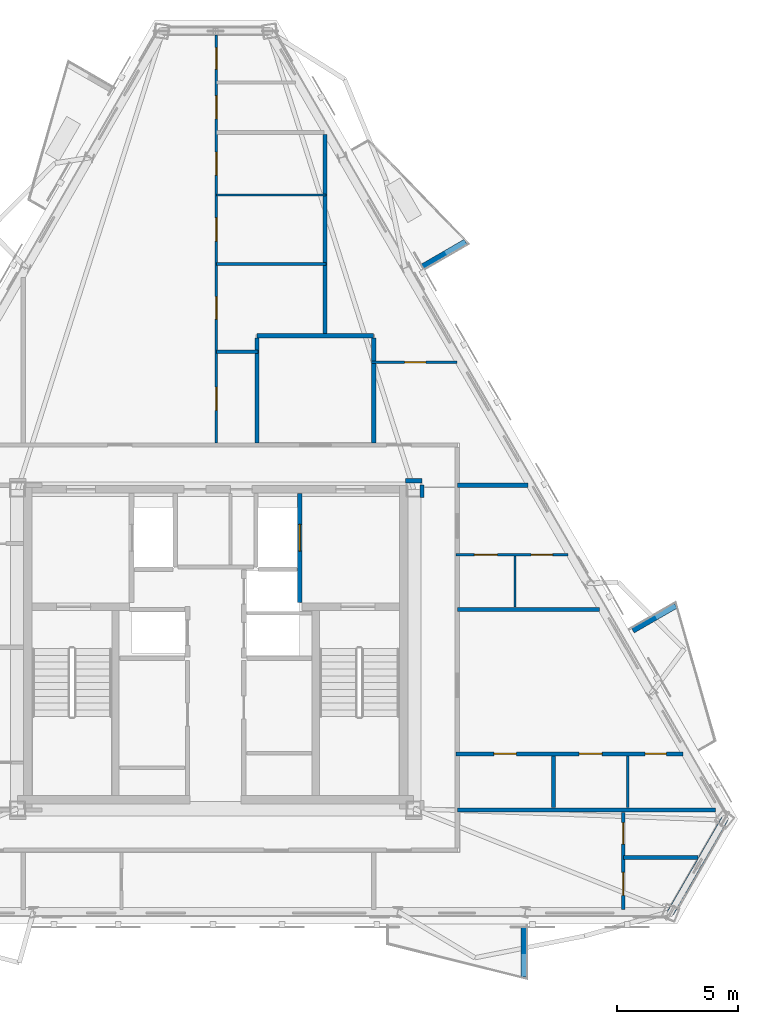
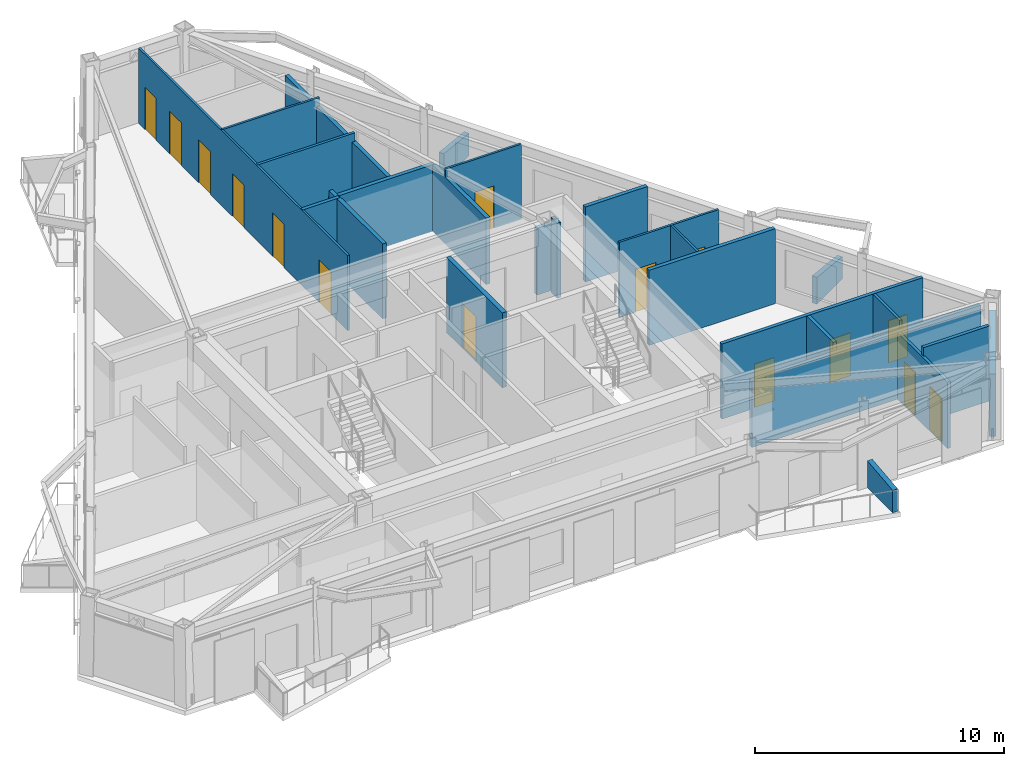
# One storey, part 5 of 9: 26 walls, 15 doors, 15 openings.
"""IFC4 building model written with IfcOpenShell, lengths in metres."""

import ifcopenshell
import ifcopenshell.guid

model = None  # the IFC model being written
_history = None  # IfcOwnerHistory: only IFC2X3 demands one
_inside = {}  # id of a spatial element -> (the spatial element, [elements in it])
_under = {}  # id of a project, library or spatial element -> (it, [spatial elements below it])
_declared = {}  # id of a project -> (the project, [libraries it declares])
_typed = {}  # id of a type object -> (the type object, [elements of that type])
_made_of = {}  # id of a material, layer set ... -> (it, [elements and type objects made of it])


def new_model(schema):
    """Start an empty IFC model of exactly this schema.

    Asked for "IFC4X3", IfcOpenShell would pick the latest addendum, in which some entities
    have other attributes; the version numbers below select the first issue.
    IFC2X3 requires an IfcOwnerHistory on every rooted entity: one is made here for all.
    """
    global model, _history
    if schema == "IFC4X3":
        model = ifcopenshell.file(schema_version=(4, 3, 0, 0))
    else:
        model = ifcopenshell.file(schema=schema)
    _inside.clear()
    _under.clear()
    _declared.clear()
    _typed.clear()
    _made_of.clear()
    _history = None
    if model.schema == "IFC2X3":
        org = make("IfcOrganization", Name="unknown")
        user = make(
            "IfcPersonAndOrganization",
            ThePerson=make("IfcPerson", FamilyName="unknown"),
            TheOrganization=org,
        )
        app = make(
            "IfcApplication",
            ApplicationDeveloper=org,
            Version="unknown",
            ApplicationFullName="unknown",
            ApplicationIdentifier="unknown",
        )
        _history = make(
            "IfcOwnerHistory",
            OwningUser=user,
            OwningApplication=app,
            ChangeAction="ADDED",
            CreationDate=0,
        )
    return model


def make(cls, **values):
    """One entity of the class cls with the attributes given. An attribute that is None is left unset."""
    return model.create_entity(
        cls, **{name: value for name, value in values.items() if value is not None}
    )


def rooted(cls, **values):
    """An entity with a GlobalId (a new one), such as an element, a storey or a relation."""
    return make(cls, GlobalId=ifcopenshell.guid.new(), OwnerHistory=_history, **values)


def si_unit(unit_type, name, prefix=None):
    """IfcSIUnit, for example si_unit("LENGTHUNIT", "METRE", prefix="MILLI")."""
    return make("IfcSIUnit", UnitType=unit_type, Prefix=prefix, Name=name)


def assignment(units):
    """IfcUnitAssignment: the units of a project."""
    return None if units is None else make("IfcUnitAssignment", Units=units)


def point(xyz):
    """IfcCartesianPoint."""
    return None if xyz is None else make("IfcCartesianPoint", Coordinates=xyz)


def direction(xyz):
    """IfcDirection."""
    return None if xyz is None else make("IfcDirection", DirectionRatios=xyz)


def frame(location, z_axis=None, x_axis=None):
    """IfcAxis2Placement3D, a coordinate frame: its origin and axes. An axis left out is left unset."""
    return make(
        "IfcAxis2Placement3D",
        Location=point(location),
        Axis=direction(z_axis),
        RefDirection=direction(x_axis),
    )


def frame_2d(location, x_axis=None):
    """IfcAxis2Placement2D, a coordinate frame in the plane: its origin and x axis."""
    return make(
        "IfcAxis2Placement2D", Location=point(location), RefDirection=direction(x_axis)
    )


def origin():
    """The frame at (0, 0, 0) with its axes left unset."""
    return frame((0.0, 0.0, 0.0))


def place(relative_to, where):
    """IfcLocalPlacement: puts the frame where relative to a parent placement (None: the world)."""
    return make(
        "IfcLocalPlacement", PlacementRelTo=relative_to, RelativePlacement=where
    )


def context(
    kind, dimensions, precision=None, world=None, true_north=None, identifier=None
):
    """IfcGeometricRepresentationContext, for example the 3D "Model" context."""
    return make(
        "IfcGeometricRepresentationContext",
        ContextIdentifier=identifier,
        ContextType=kind,
        CoordinateSpaceDimension=dimensions,
        Precision=precision,
        WorldCoordinateSystem=world,
        TrueNorth=true_north,
    )


def subcontext(parent, identifier, kind, view, scale=None):
    """IfcGeometricRepresentationSubContext, for example "Body" below "Model"."""
    return make(
        "IfcGeometricRepresentationSubContext",
        ContextIdentifier=identifier,
        ContextType=kind,
        ParentContext=parent,
        TargetScale=scale,
        TargetView=view,
    )


def project(units=None, contexts=None):
    """IfcProject with its units and contexts."""
    return rooted(
        "IfcProject",
        Name="project",
        RepresentationContexts=contexts,
        UnitsInContext=assignment(units),
    )


def spatial(cls, under=None, at=None, **own):
    """A site, building, storey or space (cls), placed at a placement, below another one or the project."""
    s = rooted(cls, ObjectPlacement=at, **own)
    if under is not None:
        _under.setdefault(under.id(), (under, []))[1].append(s)
    return s


def polyline(points):
    """IfcPolyline through the points."""
    return make("IfcPolyline", Points=[point(p) for p in points])


def profile(cls, at=None, kind="AREA", **sizes):
    """A parametric profile (cls). Its sizes go by their IFC names, for example OverallWidth=200.0."""
    return make(cls, ProfileType=kind, Position=at, **sizes)


def rectangle(**sizes):
    """IfcRectangleProfileDef."""
    return profile("IfcRectangleProfileDef", **sizes)


def outline(outer, holes=None, kind="AREA"):
    """IfcArbitraryClosedProfileDef: a profile drawn as a closed curve; with holes, ...WithVoids."""
    if holes is None:
        return make("IfcArbitraryClosedProfileDef", ProfileType=kind, OuterCurve=outer)
    return make(
        "IfcArbitraryProfileDefWithVoids",
        ProfileType=kind,
        OuterCurve=outer,
        InnerCurves=holes,
    )


def extrude(swept, where, along, depth):
    """IfcExtrudedAreaSolid: the profile swept, set in the frame where, extruded along a direction by depth."""
    return make(
        "IfcExtrudedAreaSolid",
        SweptArea=swept,
        Position=where,
        ExtrudedDirection=direction(along),
        Depth=depth,
    )


def shape(context_of_items, identifier, shape_type, items):
    """IfcShapeRepresentation: the items that make up one representation, for example the "Body"."""
    return make(
        "IfcShapeRepresentation",
        ContextOfItems=context_of_items,
        RepresentationIdentifier=identifier,
        RepresentationType=shape_type,
        Items=items,
    )


def material(Name=None, Category=None):
    """IfcMaterial."""
    return make("IfcMaterial", Name=Name, Category=Category)


def layer(
    of_material, thickness, ventilated=None, Name=None, Category=None, Priority=None
):
    """IfcMaterialLayer: one layer of a wall or slab, of a material (None: an air gap)."""
    return make(
        "IfcMaterialLayer",
        Material=of_material,
        LayerThickness=thickness,
        IsVentilated=ventilated,
        Name=Name,
        Category=Category,
        Priority=Priority,
    )


def layer_set(layers, Name=None):
    """IfcMaterialLayerSet."""
    return make("IfcMaterialLayerSet", MaterialLayers=layers, LayerSetName=Name)


def made_of(thing, what):
    """Note that an element or type object is made of a material, layer set ...; save() writes the relation."""
    if what is not None:
        _made_of.setdefault(what.id(), (what, []))[1].append(thing)
    return thing


def type_object(cls, material=None, **own):
    """A type object (cls), such as IfcWallType, which elements share."""
    return made_of(rooted(cls, **own), material)


def element(
    cls,
    number,
    at=None,
    inside=None,
    cuts=None,
    type_object=None,
    material=None,
    context=None,
    identifier="Body",
    shape_type=None,
    held_by="IfcProductDefinitionShape",
    body=None,
    shapes=None,
    **own,
):
    """One element of the class cls, such as IfcWall. Its Tag is "e" and its number.

    at: its placement. inside: the storey or other place that contains it. cuts: it is an
    opening in that element (IfcRelVoidsElement). A single representation is given by context,
    identifier, shape_type and body (its items); several are given by shapes. held_by: the class
    of the entity that holds the representations. save() writes the other relations.
    """
    e = rooted(cls, Tag="e%d" % number, ObjectPlacement=at, **own)
    if body is not None:
        shapes = [shape(context, identifier, shape_type, body)]
    if shapes is not None:
        e.Representation = make(held_by, Representations=shapes)
    if inside is not None:
        _inside.setdefault(inside.id(), (inside, []))[1].append(e)
    if cuts is not None:
        rooted(
            "IfcRelVoidsElement", RelatingBuildingElement=cuts, RelatedOpeningElement=e
        )
    if type_object is not None:
        _typed.setdefault(type_object.id(), (type_object, []))[1].append(e)
    return made_of(e, material)


def fill(opening, filler):
    """IfcRelFillsElement: the door or window that sits in an opening."""
    return rooted(
        "IfcRelFillsElement",
        RelatingOpeningElement=opening,
        RelatedBuildingElement=filler,
    )


def aggregate(whole, parts):
    """IfcRelAggregates: a whole, such as a stair, and the parts it consists of."""
    return rooted("IfcRelAggregates", RelatingObject=whole, RelatedObjects=parts)


def save(model, path):
    """Write the relations noted so far, then the file.

    IfcRelAggregates (storeys below a building ...), IfcRelContainedInSpatialStructure (elements
    in a storey), IfcRelDefinesByType, IfcRelAssociatesMaterial and IfcRelDeclares: one each for
    every whole, place, type object, material and project.
    """
    for whole, parts in _under.values():
        aggregate(whole, parts)
    for where, things in _inside.values():
        rooted(
            "IfcRelContainedInSpatialStructure",
            RelatedElements=things,
            RelatingStructure=where,
        )
    for kind, things in _typed.values():
        rooted("IfcRelDefinesByType", RelatedObjects=things, RelatingType=kind)
    for what, things in _made_of.values():
        rooted("IfcRelAssociatesMaterial", RelatedObjects=things, RelatingMaterial=what)
    for by, libraries in _declared.values():
        rooted("IfcRelDeclares", RelatingContext=by, RelatedDefinitions=libraries)
    model.write(path)


model = new_model("IFC4")

# Units and contexts
model_context = context("Model", 3, precision=1e-05, world=origin(), true_north=direction((0.0, 1.0)))
body_context = subcontext(model_context, "Body", "Model", "MODEL_VIEW")
ifc_project = project(units=[si_unit("LENGTHUNIT", "METRE"), si_unit("AREAUNIT", "SQUARE_METRE"), si_unit("VOLUMEUNIT", "CUBIC_METRE"), si_unit("PLANEANGLEUNIT", "RADIAN"), si_unit("MASSUNIT", "GRAM", prefix="KILO")], contexts=[model_context])

# Site, building, storey
site_placement = place(None, origin())
site = spatial("IfcSite", under=ifc_project, at=site_placement, CompositionType="ELEMENT")
building_placement = place(site_placement, origin())
building = spatial("IfcBuilding", under=site, at=building_placement, Name="Oramaril Tower", CompositionType="ELEMENT")
storey_placement = place(building_placement, frame((0.0, 0.0, 281.10009765625)))
storey = spatial("IfcBuildingStorey", under=building, at=storey_placement, Name="L74", CompositionType="ELEMENT", Elevation=281.10009765625)

# Walls
ifc_material_1 = material(Name="Warm Cream Limestone", Category="masonry")
ifc_layer_1 = layer(ifc_material_1, 0.2900390625)
ifc_layer_set_1 = layer_set([ifc_layer_1], Name="WT-EXT29")
wall_type_1 = type_object("IfcWallType", Name="WT-EXT29", PredefinedType="SOLIDWALL", material=ifc_layer_set_1)
wall_1_placement = place(storey_placement, frame((56.2177734375, 6.711669921875, 0.0), z_axis=(0.0, 0.0, 1.0), x_axis=(0.500002867593, 0.866023748172, 0.0)))
element("IfcWall", 1, at=wall_1_placement, inside=storey, type_object=wall_type_1, Name="L74 Tower Limestone Facade Wall 3M", PredefinedType="SOLIDWALL", context=body_context, shape_type="SweptSolid", body=[
    extrude(rectangle(XDim=4.4716796875, YDim=0.2900390625, at=frame_2d((2.23583984375, 0.0))), origin(), (0.0, 0.0, 1.0), 3.057861328125),
])
ifc_material_2 = material(Name="Concrete C40/50", Category="concrete")
ifc_layer_2 = layer(ifc_material_2, 0.22998046875)
ifc_layer_set_2 = layer_set([ifc_layer_2], Name="WT-PRP23")
wall_type_2 = type_object("IfcWallType", Name="WT-PRP23", PredefinedType="PARAPET", material=ifc_layer_set_2)
for number, where, z_axis, x_axis, name in (
    (2, (50.17822265625, 6.113525390625, 0.0), (0.0, 0.0, 1.0), (0.0, -1.0, 0.0), "L74 Trapezoidal Balcony Frame Cheek L74-BAL-S2-R"),
    (3, (54.669189453125, 18.334716796875, 0.0), (0.0, 0.0, 1.0), (0.866012356593, 0.500022597718, 0.0), "L74 Trapezoidal Balcony Frame Cheek L74-BAL-NE1-R"),
    (4, (46.018310546875, 33.318359375, 0.0), (0.0, 0.0, 1.0), (0.866042246008, 0.499970827278, 0.0), "L74 Trapezoidal Balcony Frame Cheek L74-BAL-NE2-L"),
):
    element("IfcWall", number, at=place(storey_placement, frame(where, z_axis=z_axis, x_axis=x_axis)), inside=storey, type_object=wall_type_2, Name=name, PredefinedType="PARAPET", context=body_context, shape_type="SweptSolid", body=[
        extrude(outline(polyline([(0.0, 0.0), (2.0419921875, 0.0), (2.0419921875, 1.099853515625), (0.0, 1.31982421875), (0.0, 0.0)])), frame((0.0, 0.114990234375, 0.0), z_axis=(0.0, -1.0, 0.0), x_axis=(1.0, 0.0, 0.0)), (0.0, 0.0, 1.0), 0.22998046875),
    ])

# Wall, openings, doors
ifc_material_3 = material(Name="Acoustic Gypsum Board Partition")
ifc_layer_3 = layer(ifc_material_3, 0.10009765625)
ifc_layer_set_3 = layer_set([ifc_layer_3], Name="WT-PT10")
wall_type_3 = type_object("IfcWallType", Name="WT-PT10", PredefinedType="PARTITIONING", material=ifc_layer_set_3)
wall_2_placement = place(storey_placement, frame((47.39990234375, 21.449951171875, 0.0), z_axis=(0.0, 0.0, 1.0), x_axis=(1.0, 0.0, 0.0)))
wall_2 = element("IfcWall", 5, at=wall_2_placement, inside=storey, type_object=wall_type_3, Name="L74 Interior Partition PT-10", PredefinedType="PARTITIONING", context=body_context, shape_type="SweptSolid", body=[
    extrude(rectangle(XDim=4.608154296875, YDim=0.10009765625, at=frame_2d((2.30419921875, 0.0))), origin(), (0.0, 0.0, 1.0), 3.679931640625),
])
opening_1_placement = place(wall_2_placement, frame((0.7451171875, 0.0, 0.0)))
opening_1 = element("IfcOpeningElement", 6, at=opening_1_placement, cuts=wall_2, Name="Opening D-L74-10", PredefinedType="OPENING", context=body_context, shape_type="SweptSolid", body=[
    extrude(rectangle(XDim=0.949951171875, YDim=2.10009765625, at=frame_2d((0.47509765625, 1.050048828125))), frame((0.0, 0.050048828125, 0.0), z_axis=(0.0, -1.0, 0.0), x_axis=(1.0, 0.0, 0.0)), (0.0, 0.0, 1.0), 0.10009765625),
])
opening_2_placement = place(wall_2_placement, frame((3.087646484375, 0.0, 0.0)))
opening_2 = element("IfcOpeningElement", 7, at=opening_2_placement, cuts=wall_2, Name="Opening D-L74-11", PredefinedType="OPENING", context=body_context, shape_type="SweptSolid", body=[
    extrude(rectangle(XDim=0.8798828125, YDim=2.080078125, at=frame_2d((0.43994140625, 1.0400390625))), frame((0.0, 0.050048828125, 0.0), z_axis=(0.0, -1.0, 0.0), x_axis=(1.0, 0.0, 0.0)), (0.0, 0.0, 1.0), 0.10009765625),
])
ifc_material_4 = material(Name="FSC Brazilian Freijo Hardwood", Category="wood")
door_type_1 = type_object("IfcDoorType", Name="DT-BATH", OperationType="NOTDEFINED", PredefinedType="DOOR", material=ifc_material_4)
door_1_placement = place(opening_2_placement, origin())
door_1 = element("IfcDoor", 8, at=door_1_placement, inside=storey, type_object=door_type_1, Name="L74 Flat L74-U6 Bathroom Door D-L74-11", OperationType="SINGLE_SWING_RIGHT", OverallHeight=2.080078125, OverallWidth=0.8798828125, PredefinedType="DOOR", context=body_context, shape_type="SweptSolid", body=[
    extrude(rectangle(XDim=0.8798828125, YDim=2.080078125, at=frame_2d((0.43994140625, 1.0400390625))), frame((0.0, 0.02490234375, 0.0), z_axis=(0.0, -1.0, 0.0), x_axis=(1.0, 0.0, 0.0)), (0.0, 0.0, 1.0), 0.050048828125),
])
fill(opening_2, door_1)
ifc_material_5 = material(Name="FSC Brazilian Freijo Hardwood", Category="wood")
door_type_2 = type_object("IfcDoorType", Name="DT-STDY", OperationType="NOTDEFINED", PredefinedType="DOOR", material=ifc_material_5)
door_2_placement = place(opening_1_placement, origin())
door_2 = element("IfcDoor", 9, at=door_2_placement, inside=storey, type_object=door_type_2, Name="L74 Flat L74-U6 Kitchen Door D-L74-10", OperationType="SINGLE_SWING_LEFT", OverallHeight=2.10009765625, OverallWidth=0.949951171875, PredefinedType="DOOR", context=body_context, shape_type="SweptSolid", body=[
    extrude(rectangle(XDim=0.949951171875, YDim=2.10009765625, at=frame_2d((0.47509765625, 1.050048828125))), frame((0.0, 0.02490234375, 0.0), z_axis=(0.0, -1.0, 0.0), x_axis=(1.0, 0.0, 0.0)), (0.0, 0.0, 1.0), 0.050048828125),
])
fill(opening_1, door_2)

# Wall, opening, door
wall_3_placement = place(storey_placement, frame((43.91796875, 29.3798828125, 0.0), z_axis=(0.0, 0.0, 1.0), x_axis=(1.0, 0.0, 0.0)))
wall_3 = element("IfcWall", 10, at=wall_3_placement, inside=storey, type_object=wall_type_3, Name="L74 Interior Partition PT-10", PredefinedType="PARTITIONING", context=body_context, shape_type="SweptSolid", body=[
    extrude(rectangle(XDim=3.51171875, YDim=0.10009765625, at=frame_2d((1.755859375, 0.0))), origin(), (0.0, 0.0, 1.0), 3.679931640625),
])
opening_3_placement = place(wall_3_placement, frame((1.3564453125, 0.0, 0.0)))
opening_3 = element("IfcOpeningElement", 11, at=opening_3_placement, cuts=wall_3, Name="Opening D-L74-19", PredefinedType="OPENING", context=body_context, shape_type="SweptSolid", body=[
    extrude(rectangle(XDim=0.8798828125, YDim=2.080078125, at=frame_2d((0.43994140625, 1.0400390625))), frame((0.0, 0.050048828125, 0.0), z_axis=(0.0, -1.0, 0.0), x_axis=(1.0, 0.0, 0.0)), (0.0, 0.0, 1.0), 0.10009765625),
])
door_3_placement = place(opening_3_placement, origin())
door_3 = element("IfcDoor", 12, at=door_3_placement, inside=storey, type_object=door_type_1, Name="L74 Flat L74-U8 Bathroom Door D-L74-19", OperationType="SINGLE_SWING_RIGHT", OverallHeight=2.080078125, OverallWidth=0.8798828125, PredefinedType="DOOR", context=body_context, shape_type="SweptSolid", body=[
    extrude(rectangle(XDim=0.8798828125, YDim=2.080078125, at=frame_2d((0.43994140625, 1.0400390625))), frame((0.0, 0.02490234375, 0.0), z_axis=(0.0, -1.0, 0.0), x_axis=(1.0, 0.0, 0.0)), (0.0, 0.0, 1.0), 0.050048828125),
])
fill(opening_3, door_3)

# Wall
wall_4_placement = place(storey_placement, frame((37.52880859375, 36.260009765625, 0.0), z_axis=(0.0, 0.0, 1.0), x_axis=(1.0, 0.0, 0.0)))
element("IfcWall", 13, at=wall_4_placement, inside=storey, type_object=wall_type_3, Name="L74 Interior Partition PT-10", PredefinedType="PARTITIONING", context=body_context, shape_type="SweptSolid", body=[
    extrude(rectangle(XDim=4.521240234375, YDim=0.10009765625, at=frame_2d((2.2607421875, 0.0))), origin(), (0.0, 0.0, 1.0), 3.679931640625),
])

# Wall, openings, doors
wall_5_placement = place(storey_placement, frame((37.530029296875, 26.06396484375, 0.0), z_axis=(0.0, 0.0, 1.0), x_axis=(0.0, 1.0, 0.0)))
wall_5 = element("IfcWall", 14, at=wall_5_placement, inside=storey, type_object=wall_type_3, Name="L74 Interior Partition PT-10", PredefinedType="PARTITIONING", context=body_context, shape_type="SweptSolid", body=[
    extrude(rectangle(XDim=16.791259765625, YDim=0.10009765625, at=frame_2d((8.3955078125, 0.0))), origin(), (0.0, 0.0, 1.0), 3.679931640625),
])
opening_4_placement = place(wall_5_placement, frame((1.3359375, 0.0, 0.0)))
opening_4 = element("IfcOpeningElement", 15, at=opening_4_placement, cuts=wall_5, Name="Opening D-L74-21", PredefinedType="OPENING", context=body_context, shape_type="SweptSolid", body=[
    extrude(rectangle(XDim=0.949951171875, YDim=2.10009765625, at=frame_2d((0.47509765625, 1.050048828125))), frame((0.0, 0.050048828125, 0.0), z_axis=(0.0, -1.0, 0.0), x_axis=(1.0, 0.0, 0.0)), (0.0, 0.0, 1.0), 0.10009765625),
])
opening_5_placement = place(wall_5_placement, frame((5.091796875, 0.0, 0.0)))
opening_5 = element("IfcOpeningElement", 16, at=opening_5_placement, cuts=wall_5, Name="Opening D-L74-22", PredefinedType="OPENING", context=body_context, shape_type="SweptSolid", body=[
    extrude(rectangle(XDim=0.919921875, YDim=2.1201171875, at=frame_2d((0.4599609375, 1.06005859375))), frame((0.0, 0.050048828125, 0.0), z_axis=(0.0, -1.0, 0.0), x_axis=(1.0, 0.0, 0.0)), (0.0, 0.0, 1.0), 0.10009765625),
])
opening_6_placement = place(wall_5_placement, frame((8.3017578125, 0.0, 0.0)))
opening_6 = element("IfcOpeningElement", 17, at=opening_6_placement, cuts=wall_5, Name="Opening D-L74-23", PredefinedType="OPENING", context=body_context, shape_type="SweptSolid", body=[
    extrude(rectangle(XDim=0.949951171875, YDim=2.10009765625, at=frame_2d((0.47509765625, 1.050048828125))), frame((0.0, 0.050048828125, 0.0), z_axis=(0.0, -1.0, 0.0), x_axis=(1.0, 0.0, 0.0)), (0.0, 0.0, 1.0), 0.10009765625),
])
opening_7_placement = place(wall_5_placement, frame((11.010498046875, 0.0, 0.0)))
opening_7 = element("IfcOpeningElement", 18, at=opening_7_placement, cuts=wall_5, Name="Opening D-L74-24", PredefinedType="OPENING", context=body_context, shape_type="SweptSolid", body=[
    extrude(rectangle(XDim=0.949951171875, YDim=2.10009765625, at=frame_2d((0.47509765625, 1.050048828125))), frame((0.0, 0.050048828125, 0.0), z_axis=(0.0, -1.0, 0.0), x_axis=(1.0, 0.0, 0.0)), (0.0, 0.0, 1.0), 0.10009765625),
])
opening_8_placement = place(wall_5_placement, frame((13.32568359375, 0.0, 0.0)))
opening_8 = element("IfcOpeningElement", 19, at=opening_8_placement, cuts=wall_5, Name="Opening D-L74-25", PredefinedType="OPENING", context=body_context, shape_type="SweptSolid", body=[
    extrude(rectangle(XDim=0.949951171875, YDim=2.10009765625, at=frame_2d((0.47509765625, 1.050048828125))), frame((0.0, 0.050048828125, 0.0), z_axis=(0.0, -1.0, 0.0), x_axis=(1.0, 0.0, 0.0)), (0.0, 0.0, 1.0), 0.10009765625),
])
opening_9_placement = place(wall_5_placement, frame((15.3828125, 0.0, 0.0)))
opening_9 = element("IfcOpeningElement", 20, at=opening_9_placement, cuts=wall_5, Name="Opening D-L74-26", PredefinedType="OPENING", context=body_context, shape_type="SweptSolid", body=[
    extrude(rectangle(XDim=0.8798828125, YDim=2.080078125, at=frame_2d((0.43994140625, 1.0400390625))), frame((0.0, 0.050048828125, 0.0), z_axis=(0.0, -1.0, 0.0), x_axis=(1.0, 0.0, 0.0)), (0.0, 0.0, 1.0), 0.10009765625),
])
door_4_placement = place(opening_9_placement, origin())
door_4 = element("IfcDoor", 21, at=door_4_placement, inside=storey, type_object=door_type_1, Name="L74 Flat L74-U7 Bathroom Door D-L74-26", OperationType="SINGLE_SWING_LEFT", OverallHeight=2.080078125, OverallWidth=0.8798828125, PredefinedType="DOOR", context=body_context, shape_type="SweptSolid", body=[
    extrude(rectangle(XDim=0.8798828125, YDim=2.080078125, at=frame_2d((0.43994140625, 1.0400390625))), frame((0.0, 0.02490234375, 0.0), z_axis=(0.0, -1.0, 0.0), x_axis=(1.0, 0.0, 0.0)), (0.0, 0.0, 1.0), 0.050048828125),
])
fill(opening_9, door_4)
ifc_material_6 = material(Name="FSC Brazilian Freijo Hardwood", Category="wood")
door_type_3 = type_object("IfcDoorType", Name="DT-BED", OperationType="NOTDEFINED", PredefinedType="DOOR", material=ifc_material_6)
door_5_placement = place(opening_5_placement, origin())
door_5 = element("IfcDoor", 22, at=door_5_placement, inside=storey, type_object=door_type_3, Name="L74 Flat L74-U7 Bedroom 2 Door D-L74-22", OperationType="SINGLE_SWING_LEFT", OverallHeight=2.1201171875, OverallWidth=0.919921875, PredefinedType="DOOR", context=body_context, shape_type="SweptSolid", body=[
    extrude(rectangle(XDim=0.919921875, YDim=2.1201171875, at=frame_2d((0.4599609375, 1.06005859375))), frame((0.0, 0.02490234375, 0.0), z_axis=(0.0, -1.0, 0.0), x_axis=(1.0, 0.0, 0.0)), (0.0, 0.0, 1.0), 0.050048828125),
])
fill(opening_5, door_5)
door_6_placement = place(opening_4_placement, origin())
door_6 = element("IfcDoor", 23, at=door_6_placement, inside=storey, type_object=door_type_2, Name="L74 Flat L74-U7 Breakfast Dining Room Door D-L74-21", OperationType="SINGLE_SWING_RIGHT", OverallHeight=2.10009765625, OverallWidth=0.949951171875, PredefinedType="DOOR", context=body_context, shape_type="SweptSolid", body=[
    extrude(rectangle(XDim=0.949951171875, YDim=2.10009765625, at=frame_2d((0.47509765625, 1.050048828125))), frame((0.0, 0.02490234375, 0.0), z_axis=(0.0, -1.0, 0.0), x_axis=(1.0, 0.0, 0.0)), (0.0, 0.0, 1.0), 0.050048828125),
])
fill(opening_4, door_6)
door_7_placement = place(opening_6_placement, origin())
door_7 = element("IfcDoor", 24, at=door_7_placement, inside=storey, type_object=door_type_2, Name="L74 Flat L74-U7 Reading Study Door D-L74-23", OperationType="SINGLE_SWING_RIGHT", OverallHeight=2.10009765625, OverallWidth=0.949951171875, PredefinedType="DOOR", context=body_context, shape_type="SweptSolid", body=[
    extrude(rectangle(XDim=0.949951171875, YDim=2.10009765625, at=frame_2d((0.47509765625, 1.050048828125))), frame((0.0, 0.02490234375, 0.0), z_axis=(0.0, -1.0, 0.0), x_axis=(1.0, 0.0, 0.0)), (0.0, 0.0, 1.0), 0.050048828125),
])
fill(opening_6, door_7)
door_8_placement = place(opening_7_placement, origin())
door_8 = element("IfcDoor", 25, at=door_8_placement, inside=storey, type_object=door_type_2, Name="L74 Flat L74-U7 Private Dining Room Door D-L74-24", OperationType="SINGLE_SWING_LEFT", OverallHeight=2.10009765625, OverallWidth=0.949951171875, PredefinedType="DOOR", context=body_context, shape_type="SweptSolid", body=[
    extrude(rectangle(XDim=0.949951171875, YDim=2.10009765625, at=frame_2d((0.47509765625, 1.050048828125))), frame((0.0, 0.02490234375, 0.0), z_axis=(0.0, -1.0, 0.0), x_axis=(1.0, 0.0, 0.0)), (0.0, 0.0, 1.0), 0.050048828125),
])
fill(opening_7, door_8)
door_9_placement = place(opening_8_placement, origin())
door_9 = element("IfcDoor", 26, at=door_9_placement, inside=storey, type_object=door_type_2, Name="L74 Flat L74-U7 Kitchen Door D-L74-25", OperationType="SINGLE_SWING_RIGHT", OverallHeight=2.10009765625, OverallWidth=0.949951171875, PredefinedType="DOOR", context=body_context, shape_type="SweptSolid", body=[
    extrude(rectangle(XDim=0.949951171875, YDim=2.10009765625, at=frame_2d((0.47509765625, 1.050048828125))), frame((0.0, 0.02490234375, 0.0), z_axis=(0.0, -1.0, 0.0), x_axis=(1.0, 0.0, 0.0)), (0.0, 0.0, 1.0), 0.050048828125),
])
fill(opening_8, door_9)

# Walls
wall_6_placement = place(storey_placement, frame((49.820068359375, 19.2939453125, 0.0), z_axis=(0.0, 0.0, 1.0), x_axis=(0.0, 1.0, 0.0)))
element("IfcWall", 27, at=wall_6_placement, inside=storey, type_object=wall_type_3, Name="L74 Interior Partition PT-10", PredefinedType="PARTITIONING", context=body_context, shape_type="SweptSolid", body=[
    extrude(rectangle(XDim=2.10205078125, YDim=0.10009765625, at=frame_2d((1.051025390625, 0.0))), origin(), (0.0, 0.0, 1.0), 3.679931640625),
])
ifc_material_7 = material(Name="Acoustic Gypsum Board Partition")
ifc_layer_4 = layer(ifc_material_7, 0.1201171875)
ifc_layer_set_4 = layer_set([ifc_layer_4], Name="WT-PT12")
wall_type_4 = type_object("IfcWallType", Name="WT-PT12", PredefinedType="PARTITIONING", material=ifc_layer_set_4)
wall_7_placement = place(storey_placement, frame((37.52880859375, 33.419921875, 0.0), z_axis=(0.0, 0.0, 1.0), x_axis=(1.0, 0.0, 0.0)))
element("IfcWall", 28, at=wall_7_placement, inside=storey, type_object=wall_type_4, Name="L74 Interior Partition PT-12", PredefinedType="PARTITIONING", context=body_context, shape_type="SweptSolid", body=[
    extrude(rectangle(XDim=4.521240234375, YDim=0.1201171875, at=frame_2d((2.2607421875, 0.0))), origin(), (0.0, 0.0, 1.0), 3.679931640625),
])
wall_8_placement = place(storey_placement, frame((54.4599609375, 11.0439453125, 0.0), z_axis=(0.0, 0.0, 1.0), x_axis=(0.0, 1.0, 0.0)))
element("IfcWall", 29, at=wall_8_placement, inside=storey, type_object=wall_type_4, Name="L74 Interior Partition PT-12", PredefinedType="PARTITIONING", context=body_context, shape_type="SweptSolid", body=[
    extrude(rectangle(XDim=2.132080078125, YDim=0.1201171875, at=frame_2d((1.06591796875, 0.0))), origin(), (0.0, 0.0, 1.0), 3.679931640625),
])

# Wall, openings, doors
ifc_material_8 = material(Name="Acoustic Gypsum Board Partition")
ifc_layer_5 = layer(ifc_material_8, 0.139892578125)
ifc_layer_set_5 = layer_set([ifc_layer_5], Name="WT-PT14")
wall_type_5 = type_object("IfcWallType", Name="WT-PT14", PredefinedType="PARTITIONING", material=ifc_layer_set_5)
wall_9_placement = place(storey_placement, frame((54.280029296875, 6.860595703125, 0.0), z_axis=(0.0, 0.0, 1.0), x_axis=(0.0, 1.0, 0.0)))
wall_9 = element("IfcWall", 30, at=wall_9_placement, inside=storey, type_object=wall_type_5, Name="L74 Interior Partition PT-14", PredefinedType="PARTITIONING", context=body_context, shape_type="SweptSolid", body=[
    extrude(rectangle(XDim=3.995361328125, YDim=0.139892578125, at=frame_2d((1.99755859375, 0.0))), origin(), (0.0, 0.0, 1.0), 3.265869140625),
])
opening_10_placement = place(wall_9_placement, frame((0.57470703125, 0.0, 0.0)))
opening_10 = element("IfcOpeningElement", 31, at=opening_10_placement, cuts=wall_9, Name="Opening D-L74-29", PredefinedType="OPENING", context=body_context, shape_type="SweptSolid", body=[
    extrude(rectangle(XDim=0.949951171875, YDim=2.10009765625, at=frame_2d((0.47509765625, 1.050048828125))), frame((0.0, 0.06982421875, 0.0), z_axis=(0.0, -1.0, 0.0), x_axis=(1.0, 0.0, 0.0)), (0.0, 0.0, 1.0), 0.139892578125),
])
opening_11_placement = place(wall_9_placement, frame((2.683837890625, 0.0, 0.0)))
opening_11 = element("IfcOpeningElement", 32, at=opening_11_placement, cuts=wall_9, Name="Opening D-L74-30", PredefinedType="OPENING", context=body_context, shape_type="SweptSolid", body=[
    extrude(rectangle(XDim=0.8798828125, YDim=2.080078125, at=frame_2d((0.43994140625, 1.0400390625))), frame((0.0, 0.06982421875, 0.0), z_axis=(0.0, -1.0, 0.0), x_axis=(1.0, 0.0, 0.0)), (0.0, 0.0, 1.0), 0.139892578125),
])
door_10_placement = place(opening_11_placement, origin())
door_10 = element("IfcDoor", 33, at=door_10_placement, inside=storey, type_object=door_type_1, Name="L74 Flat L74-U2 Bathroom Door D-L74-30", OperationType="SINGLE_SWING_LEFT", OverallHeight=2.080078125, OverallWidth=0.8798828125, PredefinedType="DOOR", context=body_context, shape_type="SweptSolid", body=[
    extrude(rectangle(XDim=0.8798828125, YDim=2.080078125, at=frame_2d((0.43994140625, 1.0400390625))), frame((0.0, 0.02490234375, 0.0), z_axis=(0.0, -1.0, 0.0), x_axis=(1.0, 0.0, 0.0)), (0.0, 0.0, 1.0), 0.050048828125),
])
fill(opening_11, door_10)
door_11_placement = place(opening_10_placement, origin())
door_11 = element("IfcDoor", 34, at=door_11_placement, inside=storey, type_object=door_type_2, Name="L74 Flat L74-U2 Kitchen Door D-L74-29", OperationType="SINGLE_SWING_RIGHT", OverallHeight=2.10009765625, OverallWidth=0.949951171875, PredefinedType="DOOR", context=body_context, shape_type="SweptSolid", body=[
    extrude(rectangle(XDim=0.949951171875, YDim=2.10009765625, at=frame_2d((0.47509765625, 1.050048828125))), frame((0.0, 0.02490234375, 0.0), z_axis=(0.0, -1.0, 0.0), x_axis=(1.0, 0.0, 0.0)), (0.0, 0.0, 1.0), 0.050048828125),
])
fill(opening_10, door_11)

# Wall
ifc_material_9 = material(Name="Acoustic Gypsum Board Partition")
ifc_layer_6 = layer(ifc_material_9, 0.159912109375)
ifc_layer_set_6 = layer_set([ifc_layer_6], Name="WT-PT16")
wall_type_6 = type_object("IfcWallType", Name="WT-PT16", PredefinedType="PARTITIONING", material=ifc_layer_set_6)
wall_10_placement = place(storey_placement, frame((54.28173828125, 8.989990234375, 0.0), z_axis=(0.0, 0.0, 1.0), x_axis=(1.0, 0.0, 0.0)))
element("IfcWall", 35, at=wall_10_placement, inside=storey, type_object=wall_type_6, Name="L74 Interior Partition PT-16", PredefinedType="PARTITIONING", context=body_context, shape_type="SweptSolid", body=[
    extrude(rectangle(XDim=3.079345703125, YDim=0.159912109375, at=frame_2d((1.53955078125, 0.0))), origin(), (0.0, 0.0, 1.0), 3.679931640625),
])

# Wall, openings, doors
wall_11_placement = place(storey_placement, frame((47.39990234375, 13.260009765625, 0.0), z_axis=(0.0, 0.0, 1.0), x_axis=(1.0, 0.0, 0.0)))
wall_11 = element("IfcWall", 36, at=wall_11_placement, inside=storey, type_object=wall_type_6, Name="L74 Interior Partition PT-16", PredefinedType="PARTITIONING", context=body_context, shape_type="SweptSolid", body=[
    extrude(rectangle(XDim=9.336669921875, YDim=0.159912109375, at=frame_2d((4.66845703125, 0.0))), origin(), (0.0, 0.0, 1.0), 3.679931640625),
])
opening_12_placement = place(wall_11_placement, frame((1.55322265625, 0.0, 0.0)))
opening_12 = element("IfcOpeningElement", 37, at=opening_12_placement, cuts=wall_11, Name="Opening D-L74-07", PredefinedType="OPENING", context=body_context, shape_type="SweptSolid", body=[
    extrude(rectangle(XDim=0.919921875, YDim=2.1201171875, at=frame_2d((0.4599609375, 1.06005859375))), frame((0.0, 0.080078125, 0.0), z_axis=(0.0, -1.0, 0.0), x_axis=(1.0, 0.0, 0.0)), (0.0, 0.0, 1.0), 0.159912109375),
])
opening_13_placement = place(wall_11_placement, frame((5.056396484375, 0.0, 0.0)))
opening_13 = element("IfcOpeningElement", 38, at=opening_13_placement, cuts=wall_11, Name="Opening D-L74-08", PredefinedType="OPENING", context=body_context, shape_type="SweptSolid", body=[
    extrude(rectangle(XDim=0.949951171875, YDim=2.10009765625, at=frame_2d((0.47509765625, 1.050048828125))), frame((0.0, 0.080078125, 0.0), z_axis=(0.0, -1.0, 0.0), x_axis=(1.0, 0.0, 0.0)), (0.0, 0.0, 1.0), 0.159912109375),
])
opening_14_placement = place(wall_11_placement, frame((7.77099609375, 0.0, 0.0)))
opening_14 = element("IfcOpeningElement", 39, at=opening_14_placement, cuts=wall_11, Name="Opening D-L74-09", PredefinedType="OPENING", context=body_context, shape_type="SweptSolid", body=[
    extrude(rectangle(XDim=0.8798828125, YDim=2.080078125, at=frame_2d((0.43994140625, 1.0400390625))), frame((0.0, 0.080078125, 0.0), z_axis=(0.0, -1.0, 0.0), x_axis=(1.0, 0.0, 0.0)), (0.0, 0.0, 1.0), 0.159912109375),
])
door_12_placement = place(opening_14_placement, origin())
door_12 = element("IfcDoor", 40, at=door_12_placement, inside=storey, type_object=door_type_1, Name="L74 Flat L74-U5 Bathroom Door D-L74-09", OperationType="SINGLE_SWING_RIGHT", OverallHeight=2.080078125, OverallWidth=0.8798828125, PredefinedType="DOOR", context=body_context, shape_type="SweptSolid", body=[
    extrude(rectangle(XDim=0.8798828125, YDim=2.080078125, at=frame_2d((0.43994140625, 1.0400390625))), frame((0.0, 0.02490234375, 0.0), z_axis=(0.0, -1.0, 0.0), x_axis=(1.0, 0.0, 0.0)), (0.0, 0.0, 1.0), 0.050048828125),
])
fill(opening_14, door_12)
door_13_placement = place(opening_12_placement, origin())
door_13 = element("IfcDoor", 41, at=door_13_placement, inside=storey, type_object=door_type_3, Name="L74 Flat L74-U5 Master Bedroom Door D-L74-07", OperationType="SINGLE_SWING_RIGHT", OverallHeight=2.1201171875, OverallWidth=0.919921875, PredefinedType="DOOR", context=body_context, shape_type="SweptSolid", body=[
    extrude(rectangle(XDim=0.919921875, YDim=2.1201171875, at=frame_2d((0.4599609375, 1.06005859375))), frame((0.0, 0.02490234375, 0.0), z_axis=(0.0, -1.0, 0.0), x_axis=(1.0, 0.0, 0.0)), (0.0, 0.0, 1.0), 0.050048828125),
])
fill(opening_12, door_13)
door_14_placement = place(opening_13_placement, origin())
door_14 = element("IfcDoor", 42, at=door_14_placement, inside=storey, type_object=door_type_2, Name="L74 Flat L74-U5 Kitchen Door D-L74-08", OperationType="SINGLE_SWING_LEFT", OverallHeight=2.10009765625, OverallWidth=0.949951171875, PredefinedType="DOOR", context=body_context, shape_type="SweptSolid", body=[
    extrude(rectangle(XDim=0.949951171875, YDim=2.10009765625, at=frame_2d((0.47509765625, 1.050048828125))), frame((0.0, 0.02490234375, 0.0), z_axis=(0.0, -1.0, 0.0), x_axis=(1.0, 0.0, 0.0)), (0.0, 0.0, 1.0), 0.050048828125),
])
fill(opening_13, door_14)

# Walls
wall_12_placement = place(storey_placement, frame((37.52880859375, 29.81005859375, 0.0), z_axis=(0.0, 0.0, 1.0), x_axis=(1.0, 0.0, 0.0)))
element("IfcWall", 43, at=wall_12_placement, inside=storey, type_object=wall_type_6, Name="L74 Interior Partition PT-16", PredefinedType="PARTITIONING", context=body_context, shape_type="SweptSolid", body=[
    extrude(rectangle(XDim=1.72119140625, YDim=0.159912109375, at=frame_2d((0.860595703125, 0.0))), origin(), (0.0, 0.0, 1.0), 3.679931640625),
])
wall_13_placement = place(storey_placement, frame((51.409912109375, 11.0439453125, 0.0), z_axis=(0.0, 0.0, 1.0), x_axis=(0.0, 1.0, 0.0)))
element("IfcWall", 44, at=wall_13_placement, inside=storey, type_object=wall_type_6, Name="L74 Interior Partition PT-16", PredefinedType="PARTITIONING", context=body_context, shape_type="SweptSolid", body=[
    extrude(rectangle(XDim=2.132080078125, YDim=0.159912109375, at=frame_2d((1.06591796875, 0.0))), origin(), (0.0, 0.0, 1.0), 3.679931640625),
])
ifc_material_10 = material(Name="Autoclaved Cellular Concrete Block", Category="concrete")
ifc_layer_7 = layer(ifc_material_10, 0.179931640625)
ifc_layer_set_7 = layer_set([ifc_layer_7], Name="WT-PT18")
wall_type_7 = type_object("IfcWallType", Name="WT-PT18", PredefinedType="PARTITIONING", material=ifc_layer_set_7)
wall_14_placement = place(storey_placement, frame((47.449951171875, 10.949951171875, 0.0), z_axis=(0.0, 0.0, 1.0), x_axis=(1.0, 0.0, 0.0)))
element("IfcWall", 45, at=wall_14_placement, inside=storey, type_object=wall_type_7, Name="L74 Interior Partition PT-18", PredefinedType="PARTITIONING", context=body_context, shape_type="SweptSolid", body=[
    extrude(rectangle(XDim=10.620361328125, YDim=0.179931640625, at=frame_2d((5.31005859375, 0.0))), origin(), (0.0, 0.0, 1.0), 3.265869140625),
])
wall_15_placement = place(storey_placement, frame((47.449951171875, 19.199951171875, 0.0), z_axis=(0.0, 0.0, 1.0), x_axis=(1.0, 0.0, 0.0)))
element("IfcWall", 46, at=wall_15_placement, inside=storey, type_object=wall_type_7, Name="L74 Interior Partition PT-18", PredefinedType="PARTITIONING", context=body_context, shape_type="SweptSolid", body=[
    extrude(rectangle(XDim=5.857177734375, YDim=0.179931640625, at=frame_2d((2.9287109375, 0.0))), origin(), (0.0, 0.0, 1.0), 3.679931640625),
])
wall_16_placement = place(storey_placement, frame((47.449951171875, 24.320068359375, 0.0), z_axis=(0.0, 0.0, 1.0), x_axis=(1.0, 0.0, 0.0)))
element("IfcWall", 47, at=wall_16_placement, inside=storey, type_object=wall_type_7, Name="L74 Interior Partition PT-18", PredefinedType="PARTITIONING", context=body_context, shape_type="SweptSolid", body=[
    extrude(rectangle(XDim=2.901123046875, YDim=0.179931640625, at=frame_2d((1.45068359375, 0.0))), origin(), (0.0, 0.0, 1.0), 3.679931640625),
])
wall_17_placement = place(storey_placement, frame((45.304931640625, 24.5, 0.0), z_axis=(0.0, 0.0, 1.0), x_axis=(1.0, 0.0, 0.0)))
element("IfcWall", 48, at=wall_17_placement, inside=storey, type_object=wall_type_7, Name="L74 Interior Partition PT-18", PredefinedType="PARTITIONING", context=body_context, shape_type="SweptSolid", body=[
    extrude(rectangle(XDim=0.690185546875, YDim=0.179931640625, at=frame_2d((0.34521484375, 0.0))), origin(), (0.0, 0.0, 1.0), 3.265869140625),
])
wall_18_placement = place(storey_placement, frame((39.199951171875, 30.469970703125, 0.0), z_axis=(0.0, 0.0, 1.0), x_axis=(1.0, 0.0, 0.0)))
element("IfcWall", 49, at=wall_18_placement, inside=storey, type_object=wall_type_7, Name="L74 Interior Partition PT-18", PredefinedType="PARTITIONING", context=body_context, shape_type="SweptSolid", body=[
    extrude(rectangle(XDim=4.800048828125, YDim=0.179931640625, at=frame_2d((2.39990234375, 0.0))), origin(), (0.0, 0.0, 1.0), 3.265869140625),
])
wall_19_placement = place(storey_placement, frame((39.199951171875, 26.06396484375, 0.0), z_axis=(0.0, 0.0, 1.0), x_axis=(0.0, 1.0, 0.0)))
element("IfcWall", 50, at=wall_19_placement, inside=storey, type_object=wall_type_7, Name="L74 Interior Partition PT-18", PredefinedType="PARTITIONING", context=body_context, shape_type="SweptSolid", body=[
    extrude(rectangle(XDim=4.31201171875, YDim=0.179931640625, at=frame_2d((2.156005859375, 0.0))), origin(), (0.0, 0.0, 1.0), 3.679931640625),
])
wall_20_placement = place(storey_placement, frame((42.0, 30.56396484375, 0.0), z_axis=(0.0, 0.0, 1.0), x_axis=(0.0, 1.0, 0.0)))
element("IfcWall", 51, at=wall_20_placement, inside=storey, type_object=wall_type_7, Name="L74 Interior Partition PT-18", PredefinedType="PARTITIONING", context=body_context, shape_type="SweptSolid", body=[
    extrude(rectangle(XDim=8.192138671875, YDim=0.179931640625, at=frame_2d((4.09619140625, 0.0))), origin(), (0.0, 0.0, 1.0), 3.265869140625),
])
wall_21_placement = place(storey_placement, frame((44.0, 26.06396484375, 0.0), z_axis=(0.0, 0.0, 1.0), x_axis=(0.0, 1.0, 0.0)))
element("IfcWall", 52, at=wall_21_placement, inside=storey, type_object=wall_type_7, Name="L74 Interior Partition PT-18", PredefinedType="PARTITIONING", context=body_context, shape_type="SweptSolid", body=[
    extrude(rectangle(XDim=4.31201171875, YDim=0.179931640625, at=frame_2d((2.156005859375, 0.0))), origin(), (0.0, 0.0, 1.0), 3.265869140625),
])
wall_22_placement = place(storey_placement, frame((45.989990234375, 23.81005859375, 0.0), z_axis=(0.0, 0.0, 1.0), x_axis=(0.0, 1.0, 0.0)))
element("IfcWall", 53, at=wall_22_placement, inside=storey, type_object=wall_type_7, Name="L74 Interior Partition PT-18", PredefinedType="PARTITIONING", context=body_context, shape_type="SweptSolid", body=[
    extrude(rectangle(XDim=0.510009765625, YDim=0.179931640625, at=frame_2d((0.2548828125, 0.0))), origin(), (0.0, 0.0, 1.0), 3.679931640625),
])

# Wall, opening, door
ifc_material_11 = material(Name="Autoclaved Cellular Concrete Block", Category="concrete")
ifc_layer_8 = layer(ifc_material_11, 0.199951171875)
ifc_layer_set_8 = layer_set([ifc_layer_8], Name="WT-SHF20")
wall_type_8 = type_object("IfcWallType", Name="WT-SHF20", PredefinedType="PARTITIONING", material=ifc_layer_set_8)
wall_23_placement = place(storey_placement, frame((40.9599609375, 19.47998046875, 0.0), z_axis=(0.0, 0.0, 1.0), x_axis=(0.0, 1.0, 0.0)))
wall_23 = element("IfcWall", 54, at=wall_23_placement, inside=storey, type_object=wall_type_8, Name="L74 FL-2 Lobby Shaft Wall", PredefinedType="PARTITIONING", context=body_context, shape_type="SweptSolid", body=[
    extrude(rectangle(XDim=4.5, YDim=0.199951171875, at=frame_2d((2.25, 0.0))), origin(), (0.0, 0.0, 1.0), 3.679931640625),
])
opening_15_placement = place(wall_23_placement, frame((2.1201171875, 0.0, 0.0)))
opening_15 = element("IfcOpeningElement", 55, at=opening_15_placement, cuts=wall_23, Name="Opening LD-L74-FL-2", PredefinedType="OPENING", context=body_context, shape_type="SweptSolid", body=[
    extrude(rectangle(XDim=1.10009765625, YDim=2.199951171875, at=frame_2d((0.550048828125, 1.10009765625))), frame((0.0, 0.10009765625, 0.0), z_axis=(0.0, -1.0, 0.0), x_axis=(1.0, 0.0, 0.0)), (0.0, 0.0, 1.0), 0.199951171875),
])
ifc_material_12 = material(Name="Stainless Steel 316L", Category="steel")
door_type_4 = type_object("IfcDoorType", Name="DT-LD1", OperationType="NOTDEFINED", PredefinedType="DOOR", material=ifc_material_12)
door_15_placement = place(opening_15_placement, origin())
door_15 = element("IfcDoor", 56, at=door_15_placement, inside=storey, type_object=door_type_4, Name="L74 Lift FL-2 Sliding Landing Door", OperationType="SLIDING_TO_RIGHT", OverallHeight=2.199951171875, OverallWidth=1.10009765625, PredefinedType="DOOR", context=body_context, shape_type="SweptSolid", body=[
    extrude(rectangle(XDim=1.10009765625, YDim=2.199951171875, at=frame_2d((0.550048828125, 1.10009765625))), frame((0.0, 0.02490234375, 0.0), z_axis=(0.0, -1.0, 0.0), x_axis=(1.0, 0.0, 0.0)), (0.0, 0.0, 1.0), 0.050048828125),
])
fill(opening_15, door_15)

save(model, "model.ifc")
